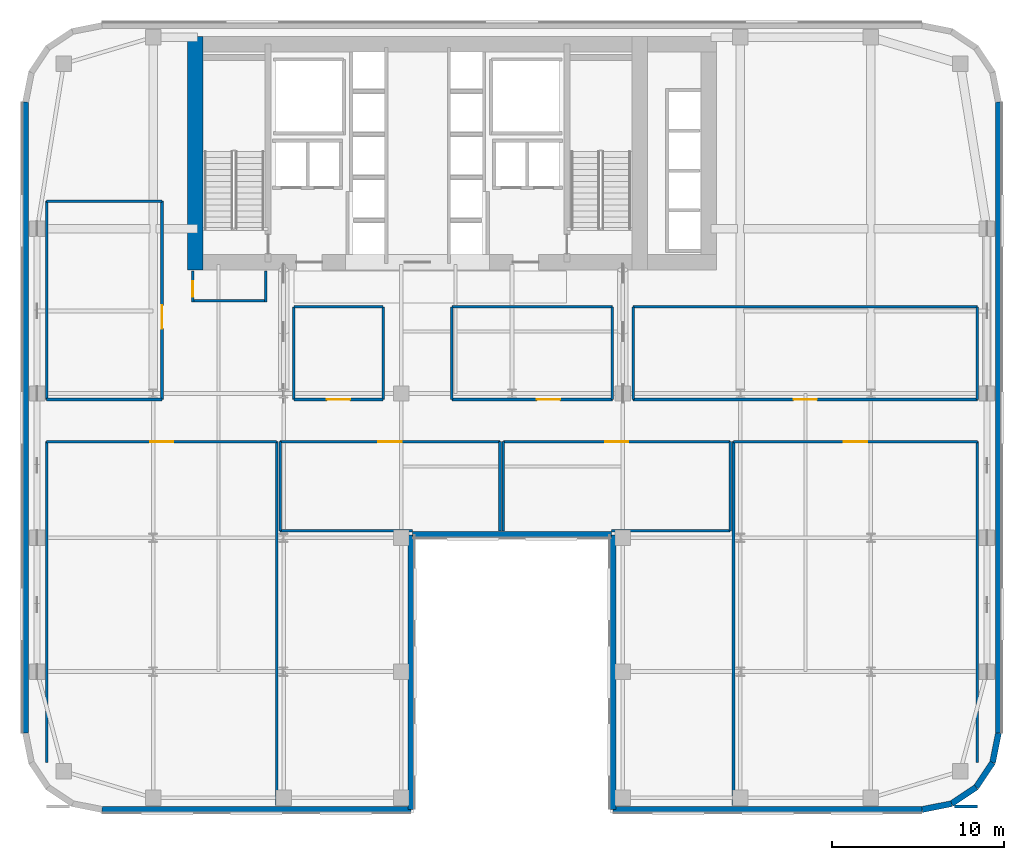
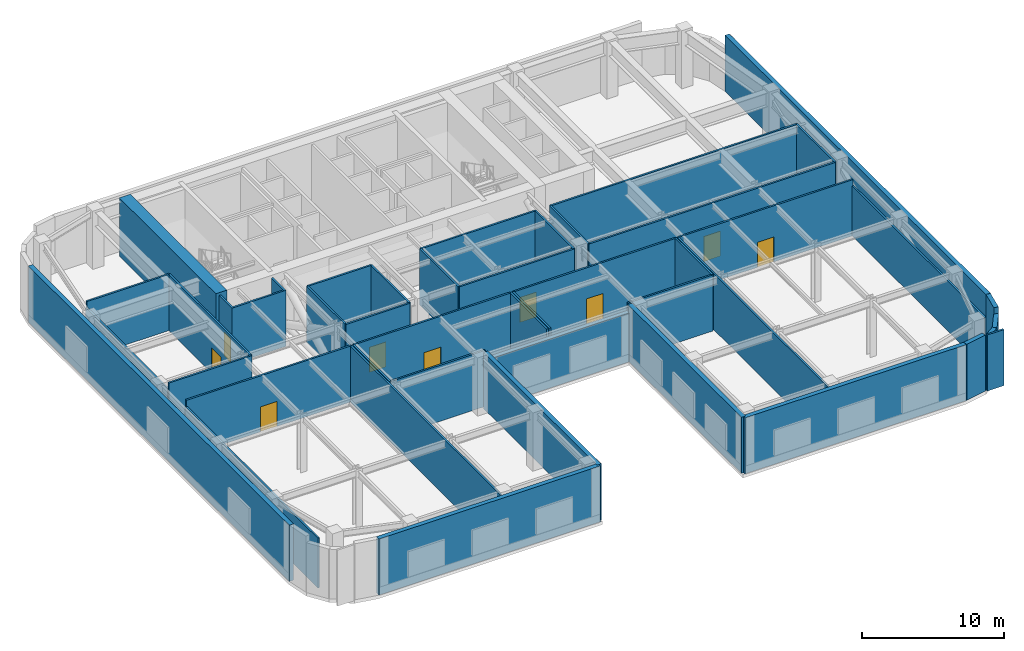
# One storey, part 4 of 11: 46 walls, 9 doors, 9 openings.
"""IFC4 building model written with IfcOpenShell, lengths in metres."""

from ifc_helpers import new_model, si_unit, direction, frame, frame_2d, origin, place, context, subcontext, project, spatial, rectangle, extrude, source, transform, mapped, material, layer, layer_set, type_object, type_shapes, element, fill, save


model = new_model("IFC4")

# Units and contexts
model_context = context("Model", 3, precision=1e-05, world=origin(), true_north=direction((0.0, 1.0)))
body_context = subcontext(model_context, "Body", "Model", "MODEL_VIEW")
ifc_project = project(units=[si_unit("LENGTHUNIT", "METRE"), si_unit("AREAUNIT", "SQUARE_METRE"), si_unit("VOLUMEUNIT", "CUBIC_METRE"), si_unit("PLANEANGLEUNIT", "RADIAN"), si_unit("MASSUNIT", "GRAM", prefix="KILO")], contexts=[model_context])

# Site, building, storey
site_placement = place(None, origin())
site = spatial("IfcSite", under=ifc_project, at=site_placement, CompositionType="ELEMENT")
building_placement = place(site_placement, origin())
building = spatial("IfcBuilding", under=site, at=building_placement, Name="Tolvann Quenvar Hotel", CompositionType="ELEMENT")
storey_placement = place(building_placement, frame((0.0, 0.0, 95.89990234375)))
storey = spatial("IfcBuildingStorey", under=building, at=storey_placement, Name="L24", CompositionType="ELEMENT", Elevation=95.89990234375)

# Walls
ifc_material_1 = material(Name="Concrete S80 (80 MPa)", Category="concrete")
ifc_layer_1 = layer(ifc_material_1, 0.89990234375)
ifc_layer_set_1 = layer_set([ifc_layer_1], Name="Concrete S80 (80 MPa)")
wall_type_1 = type_object("IfcWallType", Name="WALL_CORE_900", PredefinedType="SHEAR", material=ifc_layer_set_1)
wall_1_placement = place(storey_placement, frame((10.050048828125, 31.60009765625, 0.0), z_axis=(0.0, 0.0, 1.0), x_axis=(0.0, 1.0, 0.0)))
element("IfcWall", 1, at=wall_1_placement, inside=storey, type_object=wall_type_1, Name="Rear Core W Shear Wall (L24)", PredefinedType="SHEAR", context=body_context, shape_type="SweptSolid", body=[
    extrude(rectangle(XDim=13.599853515625, YDim=0.89990234375, at=frame_2d((6.7998046875, 0.0))), origin(), (0.0, 0.0, 1.0), 5.0),
])
ifc_material_2 = material(Name="Kiln-fired red and buff architectural clay brickwork and terracotta masonry", Category="masonry")
ifc_layer_2 = layer(ifc_material_2, 0.35009765625)
ifc_layer_set_2 = layer_set([ifc_layer_2], Name="Kiln-fired red and buff architectural clay brickwork and terracotta masonry")
wall_type_2 = type_object("IfcWallType", Name="WALL_EXT_BRICK_350", PredefinedType="SOLIDWALL", material=ifc_layer_set_2)
wall_2_placement = place(storey_placement, frame((4.6171875, 0.175048828125, 0.0), z_axis=(0.0, 0.0, 1.0), x_axis=(1.0, 0.0, 0.0)))
element("IfcWall", 2, at=wall_2_placement, inside=storey, type_object=wall_type_2, Name="Exterior Chicago Brick Wall L24-E04", PredefinedType="SOLIDWALL", context=body_context, shape_type="SweptSolid", body=[
    extrude(rectangle(XDim=18.0078125, YDim=0.35009765625, at=frame_2d((9.00390625, 0.0))), origin(), (0.0, 0.0, 1.0), 4.820068359375),
])
wall_3_placement = place(storey_placement, frame((22.625, 0.175048828125, 0.0), z_axis=(0.0, 0.0, 1.0), x_axis=(0.0, 1.0, 0.0)))
element("IfcWall", 3, at=wall_3_placement, inside=storey, type_object=wall_type_2, Name="Exterior Chicago Brick Wall L24-E05", PredefinedType="SOLIDWALL", context=body_context, shape_type="SweptSolid", body=[
    extrude(rectangle(XDim=16.0, YDim=0.35009765625, at=frame_2d((8.0, 0.0))), origin(), (0.0, 0.0, 1.0), 4.820068359375),
])
wall_4_placement = place(storey_placement, frame((22.7099609375, 16.175048828125, 0.0), z_axis=(0.0, 0.0, 1.0), x_axis=(1.0, 0.0, 0.0)))
element("IfcWall", 4, at=wall_4_placement, inside=storey, type_object=wall_type_2, Name="Exterior Chicago Brick Wall L24-E06", PredefinedType="SOLIDWALL", context=body_context, shape_type="SweptSolid", body=[
    extrude(rectangle(XDim=11.580078125, YDim=0.35009765625, at=frame_2d((5.7900390625, 0.0))), origin(), (0.0, 0.0, 1.0), 4.197998046875),
])
wall_5_placement = place(storey_placement, frame((34.375, 16.175048828125, 0.0), z_axis=(0.0, 0.0, 1.0), x_axis=(0.0, -1.0, 0.0)))
element("IfcWall", 5, at=wall_5_placement, inside=storey, type_object=wall_type_2, Name="Exterior Chicago Brick Wall L24-E07", PredefinedType="SOLIDWALL", context=body_context, shape_type="SweptSolid", body=[
    extrude(rectangle(XDim=16.0, YDim=0.35009765625, at=frame_2d((8.0, 0.0))), origin(), (0.0, 0.0, 1.0), 4.820068359375),
])
wall_6_placement = place(storey_placement, frame((34.375, 0.175048828125, 0.0), z_axis=(0.0, 0.0, 1.0), x_axis=(1.0, 0.0, 0.0)))
element("IfcWall", 6, at=wall_6_placement, inside=storey, type_object=wall_type_2, Name="Exterior Chicago Brick Wall L24-E08", PredefinedType="SOLIDWALL", context=body_context, shape_type="SweptSolid", body=[
    extrude(rectangle(XDim=18.0078125, YDim=0.35009765625, at=frame_2d((9.00390625, 0.0))), origin(), (0.0, 0.0, 1.0), 4.820068359375),
])
wall_7_placement = place(storey_placement, frame((52.3828125, 0.175048828125, 0.0), z_axis=(0.0, 0.0, 1.0), x_axis=(0.980800971659, 0.195011420161, 0.0)))
element("IfcWall", 7, at=wall_7_placement, inside=storey, type_object=wall_type_2, Name="Exterior Chicago Brick Wall L24-E09", PredefinedType="SOLIDWALL", context=body_context, shape_type="SweptSolid", body=[
    extrude(rectangle(XDim=1.74267578125, YDim=0.35009765625, at=frame_2d((0.871337890625, 0.0))), origin(), (0.0, 0.0, 1.0), 4.820068359375),
])
for number, where, z_axis, x_axis, name in (
    (8, (54.092041015625, 0.514892578125, 0.0), (0.0, 0.0, 1.0), (0.831483840845, 0.55554893791, 0.0), "Exterior Chicago Brick Wall L24-E10"),
    (9, (55.526611328125, 1.473388671875, 0.0), (0.0, 0.0, 1.0), (0.55554893791, 0.831483840845, 0.0), "Exterior Chicago Brick Wall L24-E11"),
):
    element("IfcWall", number, at=place(storey_placement, frame(where, z_axis=z_axis, x_axis=x_axis)), inside=storey, type_object=wall_type_2, Name=name, PredefinedType="SOLIDWALL", context=body_context, shape_type="SweptSolid", body=[
        extrude(rectangle(XDim=1.725341796875, YDim=0.35009765625, at=frame_2d((0.86279296875, 0.0))), origin(), (0.0, 0.0, 1.0), 4.281982421875),
    ])
wall_8_placement = place(storey_placement, frame((56.485107421875, 2.907958984375, 0.0), z_axis=(0.0, 0.0, 1.0), x_axis=(0.195011420161, 0.980800971659, 0.0)))
element("IfcWall", 10, at=wall_8_placement, inside=storey, type_object=wall_type_2, Name="Exterior Chicago Brick Wall L24-E12", PredefinedType="SOLIDWALL", context=body_context, shape_type="SweptSolid", body=[
    extrude(rectangle(XDim=1.74267578125, YDim=0.35009765625, at=frame_2d((0.871337890625, 0.0))), origin(), (0.0, 0.0, 1.0), 4.820068359375),
])
for number, where, z_axis, x_axis, name in (
    (11, (56.824951171875, 4.6171875, 0.0), (0.0, 0.0, 1.0), (0.0, 1.0, 0.0), "Exterior Chicago Brick Wall L24-E13"),
    (12, (0.175048828125, 41.3828125, 0.0), (0.0, 0.0, 1.0), (0.0, -1.0, 0.0), "Exterior Chicago Brick Wall L24-E23"),
):
    element("IfcWall", number, at=place(storey_placement, frame(where, z_axis=z_axis, x_axis=x_axis)), inside=storey, type_object=wall_type_2, Name=name, PredefinedType="SOLIDWALL", context=body_context, shape_type="SweptSolid", body=[
        extrude(rectangle(XDim=36.765625, YDim=0.35009765625, at=frame_2d((18.3828125, 0.0))), origin(), (0.0, 0.0, 1.0), 4.820068359375),
    ])

# Wall, opening, door
ifc_material_3 = material(Name="Acoustic twin-stud fire-rated gypsum plasterboard partition")
ifc_layer_3 = layer(ifc_material_3, 0.14990234375)
ifc_layer_set_3 = layer_set([ifc_layer_3], Name="Acoustic twin-stud fire-rated gypsum plasterboard partition")
wall_type_3 = type_object("IfcWallType", Name="WALL_PART_SUITE_150", PredefinedType="PARTITIONING", material=ifc_layer_set_3)
wall_9_placement = place(storey_placement, frame((8.1201171875, 24.050048828125, 0.0), z_axis=(0.0, 0.0, 1.0), x_axis=(0.0, 1.0, 0.0)))
wall_9 = element("IfcWall", 13, at=wall_9_placement, inside=storey, type_object=wall_type_3, Name="Interior Partition PT-SPC-L24-REF-W-ENT", PredefinedType="PARTITIONING", context=body_context, shape_type="SweptSolid", body=[
    extrude(rectangle(XDim=11.550048828125, YDim=0.14990234375, at=frame_2d((5.77490234375, 0.0))), origin(), (0.0, 0.0, 1.0), 4.820068359375),
])
opening_1_placement = place(wall_9_placement, frame((4.125, 0.0, 0.0)))
opening_1 = element("IfcOpeningElement", 14, at=opening_1_placement, cuts=wall_9, Name="Opening PD-01", PredefinedType="OPENING", context=body_context, shape_type="SweptSolid", body=[
    extrude(rectangle(XDim=1.35009765625, YDim=2.14990234375, at=frame_2d((0.675048828125, 1.074951171875))), frame((0.0, 0.0849609375, 0.0), z_axis=(0.0, -1.0, 0.0), x_axis=(1.0, 0.0, 0.0)), (0.0, 0.0, 1.0), 0.169921875),
])
ifc_material_4 = material(Name="Pressed galvanised steel fire-rated door set", Category="steel")
door_type_1 = type_object("IfcDoorType", Name="DOOR_PLANT_1350", OperationType="NOTDEFINED", PredefinedType="DOOR", material=ifc_material_4)
shared_shape_1 = source(origin(), body_context, "Body", "SweptSolid", [
    extrude(rectangle(XDim=1.35009765625, YDim=2.14990234375, at=frame_2d((0.675048828125, 1.074951171875))), frame((0.0, 0.02490234375, 0.0), z_axis=(0.0, -1.0, 0.0), x_axis=(1.0, 0.0, 0.0)), (0.0, 0.0, 1.0), 0.050048828125),
])
type_shapes(door_type_1, [shared_shape_1])
door_1_placement = place(opening_1_placement, origin())
door_1 = element("IfcDoor", 15, at=door_1_placement, inside=storey, type_object=door_type_1, Name="Interior Door DOOR-SPC-L24-REF-W", OperationType="DOUBLE_DOOR_SINGLE_SWING", OverallHeight=2.14990234375, OverallWidth=1.35009765625, PredefinedType="DOOR", context=body_context, shape_type="MappedRepresentation", body=[
    mapped(shared_shape_1, transform((0.0, 0.0, 0.0), x_axis=(1.0, 0.0, 0.0), y_axis=(0.0, 1.0, 0.0), z_axis=(0.0, 0.0, 1.0), scale=1.0)),
])
fill(opening_1, door_1)

# Walls
for number, where, z_axis, x_axis, name in (
    (16, (1.39990234375, 24.050048828125, 0.0), (0.0, 0.0, 1.0), (1.0, 0.0, 0.0), "Interior Partition PT-SPC-L24-REF-W-S"),
    (17, (1.39990234375, 35.60009765625, 0.0), (0.0, 0.0, 1.0), (1.0, 0.0, 0.0), "Interior Partition PT-SPC-L24-REF-W-N"),
):
    element("IfcWall", number, at=place(storey_placement, frame(where, z_axis=z_axis, x_axis=x_axis)), inside=storey, type_object=wall_type_3, Name=name, PredefinedType="PARTITIONING", context=body_context, shape_type="SweptSolid", body=[
        extrude(rectangle(XDim=6.72021484375, YDim=0.14990234375, at=frame_2d((3.360107421875, 0.0))), origin(), (0.0, 0.0, 1.0), 4.820068359375),
    ])
wall_10_placement = place(storey_placement, frame((1.39990234375, 24.050048828125, 0.0), z_axis=(0.0, 0.0, 1.0), x_axis=(0.0, 1.0, 0.0)))
element("IfcWall", 18, at=wall_10_placement, inside=storey, type_object=wall_type_3, Name="Interior Partition PT-SPC-L24-REF-W-W", PredefinedType="PARTITIONING", context=body_context, shape_type="SweptSolid", body=[
    extrude(rectangle(XDim=11.550048828125, YDim=0.14990234375, at=frame_2d((5.77490234375, 0.0))), origin(), (0.0, 0.0, 1.0), 4.281982421875),
])

# Wall, opening, door
wall_11_placement = place(storey_placement, frame((15.800048828125, 24.050048828125, 0.0), z_axis=(0.0, 0.0, 1.0), x_axis=(1.0, 0.0, 0.0)))
wall_11 = element("IfcWall", 19, at=wall_11_placement, inside=storey, type_object=wall_type_3, Name="Interior Partition PT-SPC-L24-REF-C-ENT", PredefinedType="PARTITIONING", context=body_context, shape_type="SweptSolid", body=[
    extrude(rectangle(XDim=5.199951171875, YDim=0.14990234375, at=frame_2d((2.60009765625, 0.0))), origin(), (0.0, 0.0, 1.0), 4.820068359375),
])
opening_2_placement = place(wall_11_placement, frame((1.925048828125, 0.0, 0.0)))
opening_2 = element("IfcOpeningElement", 20, at=opening_2_placement, cuts=wall_11, Name="Opening PD-01", PredefinedType="OPENING", context=body_context, shape_type="SweptSolid", body=[
    extrude(rectangle(XDim=1.35009765625, YDim=2.14990234375, at=frame_2d((0.675048828125, 1.074951171875))), frame((0.0, 0.0849609375, 0.0), z_axis=(0.0, -1.0, 0.0), x_axis=(1.0, 0.0, 0.0)), (0.0, 0.0, 1.0), 0.169921875),
])
door_2_placement = place(opening_2_placement, origin())
door_2 = element("IfcDoor", 21, at=door_2_placement, inside=storey, type_object=door_type_1, Name="Interior Door DOOR-SPC-L24-REF-C", OperationType="DOUBLE_DOOR_SINGLE_SWING", OverallHeight=2.14990234375, OverallWidth=1.35009765625, PredefinedType="DOOR", context=body_context, shape_type="MappedRepresentation", body=[
    mapped(shared_shape_1, transform((0.0, 0.0, 0.0), x_axis=(1.0, 0.0, 0.0), y_axis=(0.0, 1.0, 0.0), z_axis=(0.0, 0.0, 1.0), scale=1.0)),
])
fill(opening_2, door_2)

# Walls
wall_12_placement = place(storey_placement, frame((15.800048828125, 29.449951171875, 0.0), z_axis=(0.0, 0.0, 1.0), x_axis=(1.0, 0.0, 0.0)))
element("IfcWall", 22, at=wall_12_placement, inside=storey, type_object=wall_type_3, Name="Interior Partition PT-SPC-L24-REF-C-N", PredefinedType="PARTITIONING", context=body_context, shape_type="SweptSolid", body=[
    extrude(rectangle(XDim=5.199951171875, YDim=0.14990234375, at=frame_2d((2.60009765625, 0.0))), origin(), (0.0, 0.0, 1.0), 4.820068359375),
])
for number, where, z_axis, x_axis, name in (
    (23, (15.800048828125, 24.050048828125, 0.0), (0.0, 0.0, 1.0), (0.0, 1.0, 0.0), "Interior Partition PT-SPC-L24-REF-C-W"),
    (24, (21.0, 24.050048828125, 0.0), (0.0, 0.0, 1.0), (0.0, 1.0, 0.0), "Interior Partition PT-SPC-L24-REF-C-E"),
):
    element("IfcWall", number, at=place(storey_placement, frame(where, z_axis=z_axis, x_axis=x_axis)), inside=storey, type_object=wall_type_3, Name=name, PredefinedType="PARTITIONING", context=body_context, shape_type="SweptSolid", body=[
        extrude(rectangle(XDim=5.39990234375, YDim=0.14990234375, at=frame_2d((2.699951171875, 0.0))), origin(), (0.0, 0.0, 1.0), 4.820068359375),
    ])

# Wall, opening, door
wall_13_placement = place(storey_placement, frame((25.0, 24.050048828125, 0.0), z_axis=(0.0, 0.0, 1.0), x_axis=(1.0, 0.0, 0.0)))
wall_13 = element("IfcWall", 25, at=wall_13_placement, inside=storey, type_object=wall_type_3, Name="Interior Partition PT-SPC-L24-REF-E-ENT", PredefinedType="PARTITIONING", context=body_context, shape_type="SweptSolid", body=[
    extrude(rectangle(XDim=9.35009765625, YDim=0.14990234375, at=frame_2d((4.675048828125, 0.0))), origin(), (0.0, 0.0, 1.0), 4.820068359375),
])
opening_3_placement = place(wall_13_placement, frame((4.949951171875, 0.0, 0.0)))
opening_3 = element("IfcOpeningElement", 26, at=opening_3_placement, cuts=wall_13, Name="Opening PD-01", PredefinedType="OPENING", context=body_context, shape_type="SweptSolid", body=[
    extrude(rectangle(XDim=1.35009765625, YDim=2.14990234375, at=frame_2d((0.675048828125, 1.074951171875))), frame((0.0, 0.0849609375, 0.0), z_axis=(0.0, -1.0, 0.0), x_axis=(1.0, 0.0, 0.0)), (0.0, 0.0, 1.0), 0.169921875),
])
door_3_placement = place(opening_3_placement, origin())
door_3 = element("IfcDoor", 27, at=door_3_placement, inside=storey, type_object=door_type_1, Name="Interior Door DOOR-SPC-L24-REF-E", OperationType="DOUBLE_DOOR_SINGLE_SWING", OverallHeight=2.14990234375, OverallWidth=1.35009765625, PredefinedType="DOOR", context=body_context, shape_type="MappedRepresentation", body=[
    mapped(shared_shape_1, transform((0.0, 0.0, 0.0), x_axis=(1.0, 0.0, 0.0), y_axis=(0.0, 1.0, 0.0), z_axis=(0.0, 0.0, 1.0), scale=1.0)),
])
fill(opening_3, door_3)

# Walls
wall_14_placement = place(storey_placement, frame((25.0, 29.449951171875, 0.0), z_axis=(0.0, 0.0, 1.0), x_axis=(1.0, 0.0, 0.0)))
element("IfcWall", 28, at=wall_14_placement, inside=storey, type_object=wall_type_3, Name="Interior Partition PT-SPC-L24-REF-E-N", PredefinedType="PARTITIONING", context=body_context, shape_type="SweptSolid", body=[
    extrude(rectangle(XDim=9.35009765625, YDim=0.14990234375, at=frame_2d((4.675048828125, 0.0))), origin(), (0.0, 0.0, 1.0), 4.820068359375),
])
for number, where, z_axis, x_axis, name in (
    (29, (25.0, 24.050048828125, 0.0), (0.0, 0.0, 1.0), (0.0, 1.0, 0.0), "Interior Partition PT-SPC-L24-REF-E-W"),
    (30, (34.35009765625, 24.050048828125, 0.0), (0.0, 0.0, 1.0), (0.0, 1.0, 0.0), "Interior Partition PT-SPC-L24-REF-E-E"),
):
    element("IfcWall", number, at=place(storey_placement, frame(where, z_axis=z_axis, x_axis=x_axis)), inside=storey, type_object=wall_type_3, Name=name, PredefinedType="PARTITIONING", context=body_context, shape_type="SweptSolid", body=[
        extrude(rectangle(XDim=5.39990234375, YDim=0.14990234375, at=frame_2d((2.699951171875, 0.0))), origin(), (0.0, 0.0, 1.0), 4.820068359375),
    ])

# Wall, opening, door
wall_15_placement = place(storey_placement, frame((35.550048828125, 24.050048828125, 0.0), z_axis=(0.0, 0.0, 1.0), x_axis=(1.0, 0.0, 0.0)))
wall_15 = element("IfcWall", 31, at=wall_15_placement, inside=storey, type_object=wall_type_3, Name="Interior Partition PT-SPC-L24-REF-FE-ENT", PredefinedType="PARTITIONING", context=body_context, shape_type="SweptSolid", body=[
    extrude(rectangle(XDim=20.050048828125, YDim=0.14990234375, at=frame_2d((10.02490234375, 0.0))), origin(), (0.0, 0.0, 1.0), 4.820068359375),
])
opening_4_placement = place(wall_15_placement, frame((9.35009765625, 0.0, 0.0)))
opening_4 = element("IfcOpeningElement", 32, at=opening_4_placement, cuts=wall_15, Name="Opening PD-01", PredefinedType="OPENING", context=body_context, shape_type="SweptSolid", body=[
    extrude(rectangle(XDim=1.35009765625, YDim=2.14990234375, at=frame_2d((0.675048828125, 1.074951171875))), frame((0.0, 0.0849609375, 0.0), z_axis=(0.0, -1.0, 0.0), x_axis=(1.0, 0.0, 0.0)), (0.0, 0.0, 1.0), 0.169921875),
])
door_4_placement = place(opening_4_placement, origin())
door_4 = element("IfcDoor", 33, at=door_4_placement, inside=storey, type_object=door_type_1, Name="Interior Door DOOR-SPC-L24-REF-FE", OperationType="DOUBLE_DOOR_SINGLE_SWING", OverallHeight=2.14990234375, OverallWidth=1.35009765625, PredefinedType="DOOR", context=body_context, shape_type="MappedRepresentation", body=[
    mapped(shared_shape_1, transform((0.0, 0.0, 0.0), x_axis=(1.0, 0.0, 0.0), y_axis=(0.0, 1.0, 0.0), z_axis=(0.0, 0.0, 1.0), scale=1.0)),
])
fill(opening_4, door_4)

# Walls
wall_16_placement = place(storey_placement, frame((35.550048828125, 29.449951171875, 0.0), z_axis=(0.0, 0.0, 1.0), x_axis=(1.0, 0.0, 0.0)))
element("IfcWall", 34, at=wall_16_placement, inside=storey, type_object=wall_type_3, Name="Interior Partition PT-SPC-L24-REF-FE-N", PredefinedType="PARTITIONING", context=body_context, shape_type="SweptSolid", body=[
    extrude(rectangle(XDim=20.050048828125, YDim=0.14990234375, at=frame_2d((10.02490234375, 0.0))), origin(), (0.0, 0.0, 1.0), 4.820068359375),
])
for number, where, z_axis, x_axis, name in (
    (35, (35.550048828125, 24.050048828125, 0.0), (0.0, 0.0, 1.0), (0.0, 1.0, 0.0), "Interior Partition PT-SPC-L24-REF-FE-W"),
    (36, (55.60009765625, 24.050048828125, 0.0), (0.0, 0.0, 1.0), (0.0, 1.0, 0.0), "Interior Partition PT-SPC-L24-REF-FE-E"),
):
    element("IfcWall", number, at=place(storey_placement, frame(where, z_axis=z_axis, x_axis=x_axis)), inside=storey, type_object=wall_type_3, Name=name, PredefinedType="PARTITIONING", context=body_context, shape_type="SweptSolid", body=[
        extrude(rectangle(XDim=5.39990234375, YDim=0.14990234375, at=frame_2d((2.699951171875, 0.0))), origin(), (0.0, 0.0, 1.0), 4.820068359375),
    ])

# Wall, opening, door
wall_17_placement = place(storey_placement, frame((9.89990234375, 29.72998046875, 0.0), z_axis=(0.0, 0.0, 1.0), x_axis=(0.0, 1.0, 0.0)))
wall_17 = element("IfcWall", 37, at=wall_17_placement, inside=storey, type_object=wall_type_3, Name="Interior Partition PT-SPC-L24-PWC-ENT", PredefinedType="PARTITIONING", context=body_context, shape_type="SweptSolid", body=[
    extrude(rectangle(XDim=1.81494140625, YDim=0.14990234375, at=frame_2d((0.907470703125, 0.0))), origin(), (0.0, 0.0, 1.0), 4.820068359375),
])
opening_5_placement = place(wall_17_placement, frame((0.2900390625, 0.0, 0.0)))
opening_5 = element("IfcOpeningElement", 38, at=opening_5_placement, cuts=wall_17, Name="Opening WD-01", PredefinedType="OPENING", context=body_context, shape_type="SweptSolid", body=[
    extrude(rectangle(XDim=0.919921875, YDim=2.010009765625, at=frame_2d((0.4599609375, 1.0048828125))), frame((0.0, 0.0849609375, 0.0), z_axis=(0.0, -1.0, 0.0), x_axis=(1.0, 0.0, 0.0)), (0.0, 0.0, 1.0), 0.169921875),
])
ifc_material_5 = material(Name="Solid-core American oak acoustic fire door leaf in steel frame", Category="steel")
door_type_2 = type_object("IfcDoorType", Name="DOOR_WC_920", OperationType="NOTDEFINED", PredefinedType="DOOR", material=ifc_material_5)
shared_shape_2 = source(origin(), body_context, "Body", "SweptSolid", [
    extrude(rectangle(XDim=0.919921875, YDim=2.010009765625, at=frame_2d((0.4599609375, 1.0048828125))), frame((0.0, 0.02490234375, 0.0), z_axis=(0.0, -1.0, 0.0), x_axis=(1.0, 0.0, 0.0)), (0.0, 0.0, 1.0), 0.050048828125),
])
type_shapes(door_type_2, [shared_shape_2])
door_5_placement = place(opening_5_placement, origin())
door_5 = element("IfcDoor", 39, at=door_5_placement, inside=storey, type_object=door_type_2, Name="Interior Door DOOR-SPC-L24-PWC", OperationType="SINGLE_SWING_RIGHT", OverallHeight=2.010009765625, OverallWidth=0.919921875, PredefinedType="DOOR", context=body_context, shape_type="MappedRepresentation", body=[
    mapped(shared_shape_2, transform((0.0, 0.0, 0.0), x_axis=(1.0, 0.0, 0.0), y_axis=(0.0, 1.0, 0.0), z_axis=(0.0, 0.0, 1.0), scale=1.0)),
])
fill(opening_5, door_5)

# Walls
wall_18_placement = place(storey_placement, frame((9.830078125, 29.800048828125, 0.0), z_axis=(0.0, 0.0, 1.0), x_axis=(1.0, 0.0, 0.0)))
element("IfcWall", 40, at=wall_18_placement, inside=storey, type_object=wall_type_3, Name="Interior Partition PT-SPC-L24-PWC-S", PredefinedType="PARTITIONING", context=body_context, shape_type="SweptSolid", body=[
    extrude(rectangle(XDim=4.389892578125, YDim=0.14990234375, at=frame_2d((2.19482421875, 0.0))), origin(), (0.0, 0.0, 1.0), 4.820068359375),
])
wall_19_placement = place(storey_placement, frame((14.14990234375, 29.72998046875, 0.0), z_axis=(0.0, 0.0, 1.0), x_axis=(0.0, 1.0, 0.0)))
element("IfcWall", 41, at=wall_19_placement, inside=storey, type_object=wall_type_3, Name="Interior Partition PT-SPC-L24-PWC-E", PredefinedType="PARTITIONING", context=body_context, shape_type="SweptSolid", body=[
    extrude(rectangle(XDim=1.81494140625, YDim=0.14990234375, at=frame_2d((0.907470703125, 0.0))), origin(), (0.0, 0.0, 1.0), 4.820068359375),
])

# Wall, opening, door
wall_20_placement = place(storey_placement, frame((1.39990234375, 21.60009765625, 0.0), z_axis=(0.0, 0.0, 1.0), x_axis=(1.0, 0.0, 0.0)))
wall_20 = element("IfcWall", 42, at=wall_20_placement, inside=storey, type_object=wall_type_3, Name="Interior Partition PT-SPC-L24-CHIL-N", PredefinedType="PARTITIONING", context=body_context, shape_type="SweptSolid", body=[
    extrude(rectangle(XDim=13.400146484375, YDim=0.14990234375, at=frame_2d((6.7001953125, 0.0))), origin(), (0.0, 0.0, 1.0), 4.820068359375),
])
opening_6_placement = place(wall_20_placement, frame((6.02490234375, 0.0, 0.0)))
opening_6 = element("IfcOpeningElement", 43, at=opening_6_placement, cuts=wall_20, Name="Opening PD-01", PredefinedType="OPENING", context=body_context, shape_type="SweptSolid", body=[
    extrude(rectangle(XDim=1.35009765625, YDim=2.14990234375, at=frame_2d((0.675048828125, 1.074951171875))), frame((0.0, 0.0849609375, 0.0), z_axis=(0.0, -1.0, 0.0), x_axis=(1.0, 0.0, 0.0)), (0.0, 0.0, 1.0), 0.169921875),
])
door_6_placement = place(opening_6_placement, origin())
door_6 = element("IfcDoor", 44, at=door_6_placement, inside=storey, type_object=door_type_1, Name="Interior Door DOOR-SPC-L24-CHIL", OperationType="DOUBLE_DOOR_SINGLE_SWING", OverallHeight=2.14990234375, OverallWidth=1.35009765625, PredefinedType="DOOR", context=body_context, shape_type="MappedRepresentation", body=[
    mapped(shared_shape_1, transform((0.0, 0.0, 0.0), x_axis=(1.0, 0.0, 0.0), y_axis=(0.0, 1.0, 0.0), z_axis=(0.0, 0.0, 1.0), scale=1.0)),
])
fill(opening_6, door_6)

# Walls
wall_21_placement = place(storey_placement, frame((1.39990234375, 2.907958984375, 0.0), z_axis=(0.0, 0.0, 1.0), x_axis=(0.0, 1.0, 0.0)))
element("IfcWall", 45, at=wall_21_placement, inside=storey, type_object=wall_type_3, Name="Interior Partition PT-SPC-L24-CHIL-W", PredefinedType="PARTITIONING", context=body_context, shape_type="SweptSolid", body=[
    extrude(rectangle(XDim=18.692138671875, YDim=0.14990234375, at=frame_2d((9.34619140625, 0.0))), origin(), (0.0, 0.0, 1.0), 4.281982421875),
])
wall_22_placement = place(storey_placement, frame((14.800048828125, 0.405029296875, 0.0), z_axis=(0.0, 0.0, 1.0), x_axis=(0.0, 1.0, 0.0)))
element("IfcWall", 46, at=wall_22_placement, inside=storey, type_object=wall_type_3, Name="Interior Partition PT-SPC-L24-CHIL-E", PredefinedType="PARTITIONING", context=body_context, shape_type="SweptSolid", body=[
    extrude(rectangle(XDim=21.195068359375, YDim=0.14990234375, at=frame_2d((10.59765625, 0.0))), origin(), (0.0, 0.0, 1.0), 4.820068359375),
])
wall_23_placement = place(storey_placement, frame((15.0, 16.39990234375, 0.0), z_axis=(0.0, 0.0, 1.0), x_axis=(1.0, 0.0, 0.0)))
element("IfcWall", 47, at=wall_23_placement, inside=storey, type_object=wall_type_3, Name="Interior Partition PT-SPC-L24-AHU-S", PredefinedType="PARTITIONING", context=body_context, shape_type="SweptSolid", body=[
    extrude(rectangle(XDim=7.7099609375, YDim=0.14990234375, at=frame_2d((3.85498046875, 0.0))), origin(), (0.0, 0.0, 1.0), 4.820068359375),
])

# Wall, opening, door
wall_24_placement = place(storey_placement, frame((15.0, 21.60009765625, 0.0), z_axis=(0.0, 0.0, 1.0), x_axis=(1.0, 0.0, 0.0)))
wall_24 = element("IfcWall", 48, at=wall_24_placement, inside=storey, type_object=wall_type_3, Name="Interior Partition PT-SPC-L24-AHU-N", PredefinedType="PARTITIONING", context=body_context, shape_type="SweptSolid", body=[
    extrude(rectangle(XDim=12.800048828125, YDim=0.14990234375, at=frame_2d((6.39990234375, 0.0))), origin(), (0.0, 0.0, 1.0), 4.820068359375),
])
opening_7_placement = place(wall_24_placement, frame((5.72509765625, 0.0, 0.0)))
opening_7 = element("IfcOpeningElement", 49, at=opening_7_placement, cuts=wall_24, Name="Opening PD-01", PredefinedType="OPENING", context=body_context, shape_type="SweptSolid", body=[
    extrude(rectangle(XDim=1.35009765625, YDim=2.14990234375, at=frame_2d((0.675048828125, 1.074951171875))), frame((0.0, 0.0849609375, 0.0), z_axis=(0.0, -1.0, 0.0), x_axis=(1.0, 0.0, 0.0)), (0.0, 0.0, 1.0), 0.169921875),
])
door_7_placement = place(opening_7_placement, origin())
door_7 = element("IfcDoor", 50, at=door_7_placement, inside=storey, type_object=door_type_1, Name="Interior Door DOOR-SPC-L24-AHU", OperationType="DOUBLE_DOOR_SINGLE_SWING", OverallHeight=2.14990234375, OverallWidth=1.35009765625, PredefinedType="DOOR", context=body_context, shape_type="MappedRepresentation", body=[
    mapped(shared_shape_1, transform((0.0, 0.0, 0.0), x_axis=(1.0, 0.0, 0.0), y_axis=(0.0, 1.0, 0.0), z_axis=(0.0, 0.0, 1.0), scale=1.0)),
])
fill(opening_7, door_7)

# Walls
wall_25_placement = place(storey_placement, frame((15.0, 16.39990234375, 0.0), z_axis=(0.0, 0.0, 1.0), x_axis=(0.0, 1.0, 0.0)))
element("IfcWall", 51, at=wall_25_placement, inside=storey, type_object=wall_type_3, Name="Interior Partition PT-SPC-L24-AHU-W", PredefinedType="PARTITIONING", context=body_context, shape_type="SweptSolid", body=[
    extrude(rectangle(XDim=5.2001953125, YDim=0.14990234375, at=frame_2d((2.60009765625, 0.0))), origin(), (0.0, 0.0, 1.0), 4.820068359375),
])
wall_26_placement = place(storey_placement, frame((27.800048828125, 16.405029296875, 0.0), z_axis=(0.0, 0.0, 1.0), x_axis=(0.0, 1.0, 0.0)))
element("IfcWall", 52, at=wall_26_placement, inside=storey, type_object=wall_type_3, Name="Interior Partition PT-SPC-L24-AHU-E", PredefinedType="PARTITIONING", context=body_context, shape_type="SweptSolid", body=[
    extrude(rectangle(XDim=5.195068359375, YDim=0.14990234375, at=frame_2d((2.59765625, 0.0))), origin(), (0.0, 0.0, 1.0), 4.820068359375),
])
wall_27_placement = place(storey_placement, frame((34.2900390625, 16.39990234375, 0.0), z_axis=(0.0, 0.0, 1.0), x_axis=(1.0, 0.0, 0.0)))
element("IfcWall", 53, at=wall_27_placement, inside=storey, type_object=wall_type_3, Name="Interior Partition PT-SPC-L24-PUMP-S", PredefinedType="PARTITIONING", context=body_context, shape_type="SweptSolid", body=[
    extrude(rectangle(XDim=6.909912109375, YDim=0.14990234375, at=frame_2d((3.455078125, 0.0))), origin(), (0.0, 0.0, 1.0), 4.820068359375),
])

# Wall, opening, door
wall_28_placement = place(storey_placement, frame((28.0, 21.60009765625, 0.0), z_axis=(0.0, 0.0, 1.0), x_axis=(1.0, 0.0, 0.0)))
wall_28 = element("IfcWall", 54, at=wall_28_placement, inside=storey, type_object=wall_type_3, Name="Interior Partition PT-SPC-L24-PUMP-N", PredefinedType="PARTITIONING", context=body_context, shape_type="SweptSolid", body=[
    extrude(rectangle(XDim=13.199951171875, YDim=0.14990234375, at=frame_2d((6.60009765625, 0.0))), origin(), (0.0, 0.0, 1.0), 4.820068359375),
])
opening_8_placement = place(wall_28_placement, frame((5.925048828125, 0.0, 0.0)))
opening_8 = element("IfcOpeningElement", 55, at=opening_8_placement, cuts=wall_28, Name="Opening PD-01", PredefinedType="OPENING", context=body_context, shape_type="SweptSolid", body=[
    extrude(rectangle(XDim=1.35009765625, YDim=2.14990234375, at=frame_2d((0.675048828125, 1.074951171875))), frame((0.0, 0.0849609375, 0.0), z_axis=(0.0, -1.0, 0.0), x_axis=(1.0, 0.0, 0.0)), (0.0, 0.0, 1.0), 0.169921875),
])
door_8_placement = place(opening_8_placement, origin())
door_8 = element("IfcDoor", 56, at=door_8_placement, inside=storey, type_object=door_type_1, Name="Interior Door DOOR-SPC-L24-PUMP", OperationType="DOUBLE_DOOR_SINGLE_SWING", OverallHeight=2.14990234375, OverallWidth=1.35009765625, PredefinedType="DOOR", context=body_context, shape_type="MappedRepresentation", body=[
    mapped(shared_shape_1, transform((0.0, 0.0, 0.0), x_axis=(1.0, 0.0, 0.0), y_axis=(0.0, 1.0, 0.0), z_axis=(0.0, 0.0, 1.0), scale=1.0)),
])
fill(opening_8, door_8)

# Walls
wall_29_placement = place(storey_placement, frame((28.0, 16.405029296875, 0.0), z_axis=(0.0, 0.0, 1.0), x_axis=(0.0, 1.0, 0.0)))
element("IfcWall", 57, at=wall_29_placement, inside=storey, type_object=wall_type_3, Name="Interior Partition PT-SPC-L24-PUMP-W", PredefinedType="PARTITIONING", context=body_context, shape_type="SweptSolid", body=[
    extrude(rectangle(XDim=5.195068359375, YDim=0.14990234375, at=frame_2d((2.59765625, 0.0))), origin(), (0.0, 0.0, 1.0), 4.820068359375),
])
wall_30_placement = place(storey_placement, frame((41.199951171875, 16.39990234375, 0.0), z_axis=(0.0, 0.0, 1.0), x_axis=(0.0, 1.0, 0.0)))
element("IfcWall", 58, at=wall_30_placement, inside=storey, type_object=wall_type_3, Name="Interior Partition PT-SPC-L24-PUMP-E", PredefinedType="PARTITIONING", context=body_context, shape_type="SweptSolid", body=[
    extrude(rectangle(XDim=5.2001953125, YDim=0.14990234375, at=frame_2d((2.60009765625, 0.0))), origin(), (0.0, 0.0, 1.0), 4.820068359375),
])
wall_31_placement = place(storey_placement, frame((54.259033203125, 0.35009765625, 0.0), z_axis=(0.0, 0.0, 1.0), x_axis=(1.0, 0.0, 0.0)))
element("IfcWall", 59, at=wall_31_placement, inside=storey, type_object=wall_type_3, Name="Interior Partition PT-SPC-L24-ELEC-S", PredefinedType="PARTITIONING", context=body_context, shape_type="SweptSolid", body=[
    extrude(rectangle(XDim=1.341064453125, YDim=0.14990234375, at=frame_2d((0.67041015625, 0.0))), origin(), (0.0, 0.0, 1.0), 4.820068359375),
])

# Wall, opening, door
wall_32_placement = place(storey_placement, frame((41.39990234375, 21.60009765625, 0.0), z_axis=(0.0, 0.0, 1.0), x_axis=(1.0, 0.0, 0.0)))
wall_32 = element("IfcWall", 60, at=wall_32_placement, inside=storey, type_object=wall_type_3, Name="Interior Partition PT-SPC-L24-ELEC-N", PredefinedType="PARTITIONING", context=body_context, shape_type="SweptSolid", body=[
    extrude(rectangle(XDim=14.2001953125, YDim=0.14990234375, at=frame_2d((7.10009765625, 0.0))), origin(), (0.0, 0.0, 1.0), 4.820068359375),
])
opening_9_placement = place(wall_32_placement, frame((6.425048828125, 0.0, 0.0)))
opening_9 = element("IfcOpeningElement", 61, at=opening_9_placement, cuts=wall_32, Name="Opening PD-01", PredefinedType="OPENING", context=body_context, shape_type="SweptSolid", body=[
    extrude(rectangle(XDim=1.35009765625, YDim=2.14990234375, at=frame_2d((0.675048828125, 1.074951171875))), frame((0.0, 0.0849609375, 0.0), z_axis=(0.0, -1.0, 0.0), x_axis=(1.0, 0.0, 0.0)), (0.0, 0.0, 1.0), 0.169921875),
])
door_9_placement = place(opening_9_placement, origin())
door_9 = element("IfcDoor", 62, at=door_9_placement, inside=storey, type_object=door_type_1, Name="Interior Door DOOR-SPC-L24-ELEC", OperationType="DOUBLE_DOOR_SINGLE_SWING", OverallHeight=2.14990234375, OverallWidth=1.35009765625, PredefinedType="DOOR", context=body_context, shape_type="MappedRepresentation", body=[
    mapped(shared_shape_1, transform((0.0, 0.0, 0.0), x_axis=(1.0, 0.0, 0.0), y_axis=(0.0, 1.0, 0.0), z_axis=(0.0, 0.0, 1.0), scale=1.0)),
])
fill(opening_9, door_9)

# Walls
wall_33_placement = place(storey_placement, frame((41.39990234375, 0.405029296875, 0.0), z_axis=(0.0, 0.0, 1.0), x_axis=(0.0, 1.0, 0.0)))
element("IfcWall", 63, at=wall_33_placement, inside=storey, type_object=wall_type_3, Name="Interior Partition PT-SPC-L24-ELEC-W", PredefinedType="PARTITIONING", context=body_context, shape_type="SweptSolid", body=[
    extrude(rectangle(XDim=21.195068359375, YDim=0.14990234375, at=frame_2d((10.59765625, 0.0))), origin(), (0.0, 0.0, 1.0), 4.820068359375),
])
wall_34_placement = place(storey_placement, frame((55.60009765625, 2.907958984375, 0.0), z_axis=(0.0, 0.0, 1.0), x_axis=(0.0, 1.0, 0.0)))
element("IfcWall", 64, at=wall_34_placement, inside=storey, type_object=wall_type_3, Name="Interior Partition PT-SPC-L24-ELEC-E", PredefinedType="PARTITIONING", context=body_context, shape_type="SweptSolid", body=[
    extrude(rectangle(XDim=18.692138671875, YDim=0.14990234375, at=frame_2d((9.34619140625, 0.0))), origin(), (0.0, 0.0, 1.0), 4.281982421875),
])

save(model, "model.ifc")
